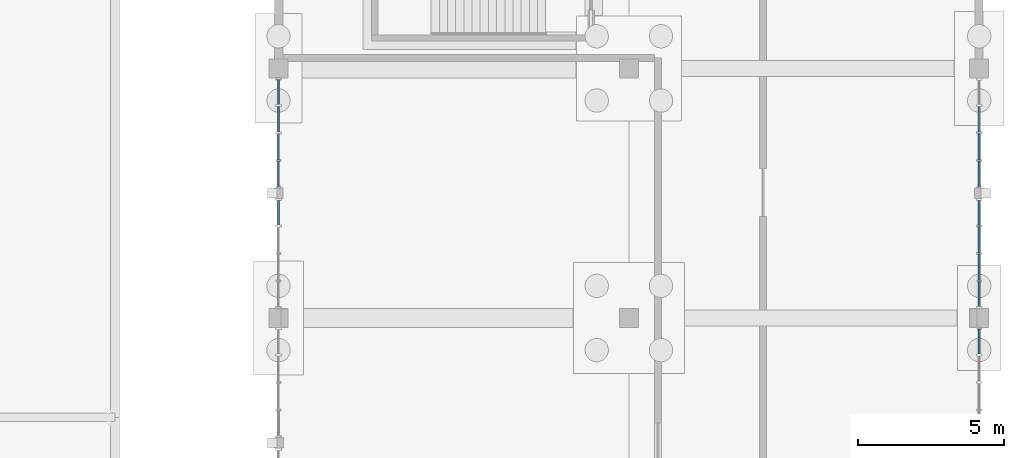
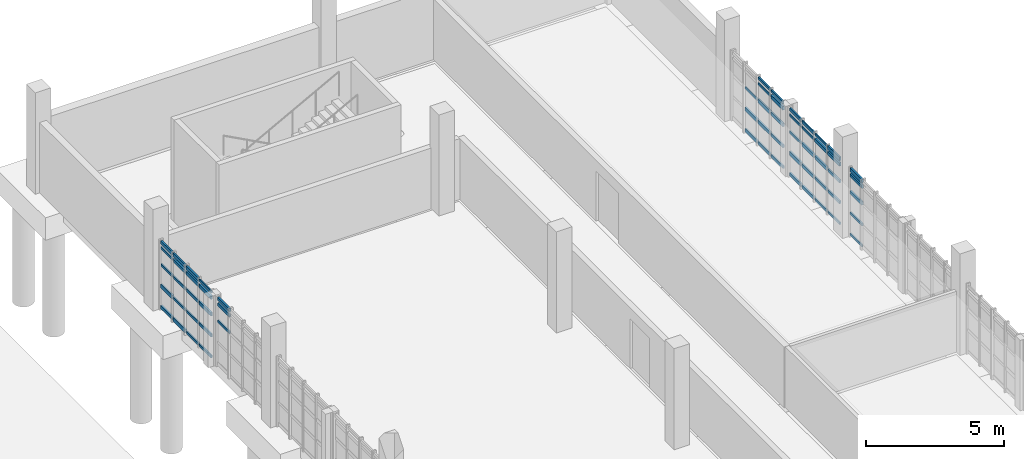
# One storey, part 76 of 125: 61 members, 5 elements without a shape of their own.
"""IFC4 building model written with IfcOpenShell, lengths in metres."""

from ifc_helpers import new_model, si_unit, direction, frame, origin, origin_2d, place, context, subcontext, project, spatial, rectangle, extrude, material, material_profile, profile_set, type_object, element, aggregate, save


model = new_model("IFC4")

# Units and contexts
model_context = context("Model", 3, precision=1e-05, world=origin(), true_north=direction((0.0, 1.0)))
body_context = subcontext(model_context, "Body", "Model", "MODEL_VIEW")
ifc_project = project(units=[si_unit("LENGTHUNIT", "METRE"), si_unit("AREAUNIT", "SQUARE_METRE"), si_unit("VOLUMEUNIT", "CUBIC_METRE"), si_unit("PLANEANGLEUNIT", "RADIAN"), si_unit("MASSUNIT", "GRAM", prefix="KILO")], contexts=[model_context])

# Site, building, storey
site_placement = place(None, origin())
site = spatial("IfcSite", under=ifc_project, at=site_placement, CompositionType="ELEMENT")
building_placement = place(site_placement, origin())
building = spatial("IfcBuilding", under=site, at=building_placement, Name="Serraforn Aerial Cableway Station", CompositionType="ELEMENT")
storey_placement = place(building_placement, frame((0.0, 0.0, 4.5)))
storey = spatial("IfcBuildingStorey", under=building, at=storey_placement, Name="L01", CompositionType="ELEMENT", Elevation=4.5)

# Curtain wall, member
ifc_material_1 = material(Name="Anodised bronze unitised curtain wall")
curtain_wall_type_1 = type_object("IfcCurtainWallType", Name="CW-SYS-18", PredefinedType="USERDEFINED", material=ifc_material_1)
curtain_wall_1_placement = place(storey_placement, origin())
curtain_wall_1 = element("IfcCurtainWall", 1, at=curtain_wall_1_placement, inside=storey, type_object=curtain_wall_type_1, Name="Unitised Curtain Wall CW-EG-L01-E6B", ObjectType="UNITISED CURTAIN WALL", PredefinedType="USERDEFINED")
ifc_material_2 = material(Name="Anodised bronze extruded aluminium", Category="aluminium")
ifc_material_profile_1 = material_profile(ifc_material_2, rectangle(XDim=0.054931640625, YDim=0.110107421875, at=origin_2d()), Name="CW TRANSOM 55x110")
ifc_profile_set_1 = profile_set([ifc_material_profile_1], Name="Anodised bronze extruded aluminium")
member_type_1 = type_object("IfcMemberType", Name="CW-TRN-1", PredefinedType="USERDEFINED", material=ifc_profile_set_1)
member_1_placement = place(storey_placement, frame((168.0, 95.66943359375, 0.124755859375), z_axis=(0.0, 1.0, 0.0), x_axis=(-1.0, 0.0, 0.0)))
member_1 = element("IfcMember", 2, at=member_1_placement, type_object=member_type_1, Name="Curtain Wall Transom CW-EG-L01-E6B-T4-1", ObjectType="TRANSOM", PredefinedType="USERDEFINED", context=body_context, shape_type="SweptSolid", body=[
    extrude(rectangle(XDim=0.054931640625, YDim=0.110107421875, at=origin_2d()), origin(), (0.0, 0.0, 1.0), 0.8544921875),
])

# Curtain wall, members
curtain_wall_type_2 = type_object("IfcCurtainWallType", Name="CW-SYS-19", PredefinedType="USERDEFINED", material=ifc_material_1)
curtain_wall_2_placement = place(storey_placement, origin())
curtain_wall_2 = element("IfcCurtainWall", 3, at=curtain_wall_2_placement, inside=storey, type_object=curtain_wall_type_2, Name="Unitised Curtain Wall CW-EG-L01-W7A", ObjectType="UNITISED CURTAIN WALL", PredefinedType="USERDEFINED")
member_2_placement = place(storey_placement, frame((144.0, 105.06396484375, 1.996826171875), z_axis=(0.0, -1.0, 0.0), x_axis=(1.0, 0.0, 0.0)))
member_2 = element("IfcMember", 4, at=member_2_placement, type_object=member_type_1, Name="Curtain Wall Transom CW-EG-L01-W7A-T1-3", ObjectType="TRANSOM", PredefinedType="USERDEFINED", context=body_context, shape_type="SweptSolid", body=[
    extrude(rectangle(XDim=0.054931640625, YDim=0.110107421875, at=origin_2d()), origin(), (0.0, 0.0, 1.0), 0.846923828125),
])
member_3_placement = place(storey_placement, frame((144.0, 104.15087890625, 1.060791015625), z_axis=(0.0, -1.0, 0.0), x_axis=(1.0, 0.0, 0.0)))
member_3 = element("IfcMember", 5, at=member_3_placement, type_object=member_type_1, Name="Curtain Wall Transom CW-EG-L01-W7A-T2-2", ObjectType="TRANSOM", PredefinedType="USERDEFINED", context=body_context, shape_type="SweptSolid", body=[
    extrude(rectangle(XDim=0.054931640625, YDim=0.110107421875, at=origin_2d()), origin(), (0.0, 0.0, 1.0), 0.874267578125),
])
member_4_placement = place(storey_placement, frame((144.0, 103.20556640625, 0.124755859375), z_axis=(0.0, -1.0, 0.0), x_axis=(1.0, 0.0, 0.0)))
member_4 = element("IfcMember", 6, at=member_4_placement, type_object=member_type_1, Name="Curtain Wall Transom CW-EG-L01-W7A-T3-1", ObjectType="TRANSOM", PredefinedType="USERDEFINED", context=body_context, shape_type="SweptSolid", body=[
    extrude(rectangle(XDim=0.054931640625, YDim=0.110107421875, at=origin_2d()), origin(), (0.0, 0.0, 1.0), 0.882080078125),
])
member_5_placement = place(storey_placement, frame((144.0, 102.2724609375, 2.9951171875), z_axis=(0.0, -1.0, 0.0), x_axis=(1.0, 0.0, 0.0)))
member_5 = element("IfcMember", 7, at=member_5_placement, type_object=member_type_1, Name="Curtain Wall Transom CW-EG-L01-W7A-T4-5", ObjectType="TRANSOM", PredefinedType="USERDEFINED", context=body_context, shape_type="SweptSolid", body=[
    extrude(rectangle(XDim=0.054931640625, YDim=0.110107421875, at=origin_2d()), origin(), (0.0, 0.0, 1.0), 0.859375),
])

curtain_wall_type_3 = type_object("IfcCurtainWallType", Name="CW-SYS-21", PredefinedType="USERDEFINED", material=ifc_material_1)
curtain_wall_3_placement = place(storey_placement, origin())
curtain_wall_3 = element("IfcCurtainWall", 8, at=curtain_wall_3_placement, inside=storey, type_object=curtain_wall_type_3, Name="Unitised Curtain Wall CW-EG-L01-E7A", ObjectType="UNITISED CURTAIN WALL", PredefinedType="USERDEFINED")
member_6_placement = place(storey_placement, frame((168.0, 97.2958984375, 0.124755859375), z_axis=(0.0, 1.0, 0.0), x_axis=(-1.0, 0.0, 0.0)))
member_6 = element("IfcMember", 9, at=member_6_placement, type_object=member_type_1, Name="Curtain Wall Transom CW-EG-L01-E7A-T1-1", ObjectType="TRANSOM", PredefinedType="USERDEFINED", context=body_context, shape_type="SweptSolid", body=[
    extrude(rectangle(XDim=0.054931640625, YDim=0.110107421875, at=origin_2d()), origin(), (0.0, 0.0, 1.0), 0.844482421875),
])
member_7_placement = place(storey_placement, frame((168.0, 98.19140625, 2.9951171875), z_axis=(0.0, 1.0, 0.0), x_axis=(-1.0, 0.0, 0.0)))
member_7 = element("IfcMember", 10, at=member_7_placement, type_object=member_type_1, Name="Curtain Wall Transom CW-EG-L01-E7A-T2-5", ObjectType="TRANSOM", PredefinedType="USERDEFINED", context=body_context, shape_type="SweptSolid", body=[
    extrude(rectangle(XDim=0.054931640625, YDim=0.110107421875, at=origin_2d()), origin(), (0.0, 0.0, 1.0), 0.8896484375),
])
member_8_placement = place(storey_placement, frame((168.0, 99.136962890625, 2.74560546875), z_axis=(0.0, 1.0, 0.0), x_axis=(-1.0, 0.0, 0.0)))
member_8 = element("IfcMember", 11, at=member_8_placement, type_object=member_type_1, Name="Curtain Wall Transom CW-EG-L01-E7A-T3-4", ObjectType="TRANSOM", PredefinedType="USERDEFINED", context=body_context, shape_type="SweptSolid", body=[
    extrude(rectangle(XDim=0.054931640625, YDim=0.110107421875, at=origin_2d()), origin(), (0.0, 0.0, 1.0), 0.884521484375),
])
member_9_placement = place(storey_placement, frame((168.0, 100.08251953125, 1.996826171875), z_axis=(0.0, 1.0, 0.0), x_axis=(-1.0, 0.0, 0.0)))
member_9 = element("IfcMember", 12, at=member_9_placement, type_object=member_type_1, Name="Curtain Wall Transom CW-EG-L01-E7A-T4-3", ObjectType="TRANSOM", PredefinedType="USERDEFINED", context=body_context, shape_type="SweptSolid", body=[
    extrude(rectangle(XDim=0.054931640625, YDim=0.110107421875, at=origin_2d()), origin(), (0.0, 0.0, 1.0), 0.844482421875),
])

curtain_wall_type_4 = type_object("IfcCurtainWallType", Name="CW-SYS-22", PredefinedType="USERDEFINED", material=ifc_material_1)
curtain_wall_4_placement = place(storey_placement, origin())
curtain_wall_4 = element("IfcCurtainWall", 13, at=curtain_wall_4_placement, inside=storey, type_object=curtain_wall_type_4, Name="Unitised Curtain Wall CW-EG-L01-E7B", ObjectType="UNITISED CURTAIN WALL", PredefinedType="USERDEFINED")
member_10_placement = place(storey_placement, frame((168.0, 101.407958984375, 2.9951171875), z_axis=(0.0, 1.0, 0.0), x_axis=(-1.0, 0.0, 0.0)))
member_10 = element("IfcMember", 14, at=member_10_placement, type_object=member_type_1, Name="Curtain Wall Transom CW-EG-L01-E7B-T1-5", ObjectType="TRANSOM", PredefinedType="USERDEFINED", context=body_context, shape_type="SweptSolid", body=[
    extrude(rectangle(XDim=0.054931640625, YDim=0.110107421875, at=origin_2d()), origin(), (0.0, 0.0, 1.0), 0.862060546875),
])
member_11_placement = place(storey_placement, frame((168.0, 102.325927734375, 2.74560546875), z_axis=(0.0, 1.0, 0.0), x_axis=(-1.0, 0.0, 0.0)))
member_11 = element("IfcMember", 15, at=member_11_placement, type_object=member_type_1, Name="Curtain Wall Transom CW-EG-L01-E7B-T2-4", ObjectType="TRANSOM", PredefinedType="USERDEFINED", context=body_context, shape_type="SweptSolid", body=[
    extrude(rectangle(XDim=0.054931640625, YDim=0.110107421875, at=origin_2d()), origin(), (0.0, 0.0, 1.0), 0.884521484375),
])
member_12_placement = place(storey_placement, frame((168.0, 103.271484375, 1.996826171875), z_axis=(0.0, 1.0, 0.0), x_axis=(-1.0, 0.0, 0.0)))
member_12 = element("IfcMember", 16, at=member_12_placement, type_object=member_type_1, Name="Curtain Wall Transom CW-EG-L01-E7B-T3-3", ObjectType="TRANSOM", PredefinedType="USERDEFINED", context=body_context, shape_type="SweptSolid", body=[
    extrude(rectangle(XDim=0.054931640625, YDim=0.110107421875, at=origin_2d()), origin(), (0.0, 0.0, 1.0), 0.87939453125),
])

# Member
ifc_material_profile_2 = material_profile(ifc_material_2, rectangle(XDim=0.06005859375, YDim=0.1201171875, at=origin_2d()), Name="CW TRANSOM 60x120")
ifc_profile_set_2 = profile_set([ifc_material_profile_2], Name="Anodised bronze extruded aluminium")
member_type_2 = type_object("IfcMemberType", Name="CW-TRN-2", PredefinedType="USERDEFINED", material=ifc_profile_set_2)
member_13_placement = place(storey_placement, frame((168.0, 95.66943359375, 1.060791015625), z_axis=(0.0, 1.0, 0.0), x_axis=(-1.0, 0.0, 0.0)))
member_13 = element("IfcMember", 17, at=member_13_placement, type_object=member_type_2, Name="Curtain Wall Transom CW-EG-L01-E6B-T4-2", ObjectType="TRANSOM", PredefinedType="USERDEFINED", context=body_context, shape_type="SweptSolid", body=[
    extrude(rectangle(XDim=0.06005859375, YDim=0.1201171875, at=origin_2d()), origin(), (0.0, 0.0, 1.0), 0.8544921875),
])

member_14_placement = place(storey_placement, frame((144.0, 105.06396484375, 2.74560546875), z_axis=(0.0, -1.0, 0.0), x_axis=(1.0, 0.0, 0.0)))
member_14 = element("IfcMember", 18, at=member_14_placement, type_object=member_type_2, Name="Curtain Wall Transom CW-EG-L01-W7A-T1-4", ObjectType="TRANSOM", PredefinedType="USERDEFINED", context=body_context, shape_type="SweptSolid", body=[
    extrude(rectangle(XDim=0.06005859375, YDim=0.1201171875, at=origin_2d()), origin(), (0.0, 0.0, 1.0), 0.846923828125),
])

member_15_placement = place(storey_placement, frame((144.0, 104.15087890625, 1.996826171875), z_axis=(0.0, -1.0, 0.0), x_axis=(1.0, 0.0, 0.0)))
member_15 = element("IfcMember", 19, at=member_15_placement, type_object=member_type_2, Name="Curtain Wall Transom CW-EG-L01-W7A-T2-3", ObjectType="TRANSOM", PredefinedType="USERDEFINED", context=body_context, shape_type="SweptSolid", body=[
    extrude(rectangle(XDim=0.06005859375, YDim=0.1201171875, at=origin_2d()), origin(), (0.0, 0.0, 1.0), 0.874267578125),
])

member_16_placement = place(storey_placement, frame((144.0, 103.20556640625, 1.060791015625), z_axis=(0.0, -1.0, 0.0), x_axis=(1.0, 0.0, 0.0)))
member_16 = element("IfcMember", 20, at=member_16_placement, type_object=member_type_2, Name="Curtain Wall Transom CW-EG-L01-W7A-T3-2", ObjectType="TRANSOM", PredefinedType="USERDEFINED", context=body_context, shape_type="SweptSolid", body=[
    extrude(rectangle(XDim=0.06005859375, YDim=0.1201171875, at=origin_2d()), origin(), (0.0, 0.0, 1.0), 0.882080078125),
])

member_17_placement = place(storey_placement, frame((144.0, 102.2724609375, 0.124755859375), z_axis=(0.0, -1.0, 0.0), x_axis=(1.0, 0.0, 0.0)))
member_17 = element("IfcMember", 21, at=member_17_placement, type_object=member_type_2, Name="Curtain Wall Transom CW-EG-L01-W7A-T4-1", ObjectType="TRANSOM", PredefinedType="USERDEFINED", context=body_context, shape_type="SweptSolid", body=[
    extrude(rectangle(XDim=0.06005859375, YDim=0.1201171875, at=origin_2d()), origin(), (0.0, 0.0, 1.0), 0.859375),
])

# Curtain wall, member
curtain_wall_type_5 = type_object("IfcCurtainWallType", Name="CW-SYS-20", PredefinedType="USERDEFINED", material=ifc_material_1)
curtain_wall_5_placement = place(storey_placement, origin())
curtain_wall_5 = element("IfcCurtainWall", 22, at=curtain_wall_5_placement, inside=storey, type_object=curtain_wall_type_5, Name="Unitised Curtain Wall CW-EG-L01-W7B", ObjectType="UNITISED CURTAIN WALL", PredefinedType="USERDEFINED")
member_18_placement = place(storey_placement, frame((144.0, 100.927001953125, 1.996826171875), z_axis=(0.0, -1.0, 0.0), x_axis=(1.0, 0.0, 0.0)))
member_18 = element("IfcMember", 23, at=member_18_placement, type_object=member_type_2, Name="Curtain Wall Transom CW-EG-L01-W7B-T1-3", ObjectType="TRANSOM", PredefinedType="USERDEFINED", context=body_context, shape_type="SweptSolid", body=[
    extrude(rectangle(XDim=0.06005859375, YDim=0.1201171875, at=origin_2d()), origin(), (0.0, 0.0, 1.0), 0.839599609375),
])

# Member
member_19_placement = place(storey_placement, frame((168.0, 97.2958984375, 1.060791015625), z_axis=(0.0, 1.0, 0.0), x_axis=(-1.0, 0.0, 0.0)))
member_19 = element("IfcMember", 24, at=member_19_placement, type_object=member_type_2, Name="Curtain Wall Transom CW-EG-L01-E7A-T1-2", ObjectType="TRANSOM", PredefinedType="USERDEFINED", context=body_context, shape_type="SweptSolid", body=[
    extrude(rectangle(XDim=0.06005859375, YDim=0.1201171875, at=origin_2d()), origin(), (0.0, 0.0, 1.0), 0.844482421875),
])

member_20_placement = place(storey_placement, frame((168.0, 98.19140625, 0.124755859375), z_axis=(0.0, 1.0, 0.0), x_axis=(-1.0, 0.0, 0.0)))
member_20 = element("IfcMember", 25, at=member_20_placement, type_object=member_type_2, Name="Curtain Wall Transom CW-EG-L01-E7A-T2-1", ObjectType="TRANSOM", PredefinedType="USERDEFINED", context=body_context, shape_type="SweptSolid", body=[
    extrude(rectangle(XDim=0.06005859375, YDim=0.1201171875, at=origin_2d()), origin(), (0.0, 0.0, 1.0), 0.8896484375),
])

member_21_placement = place(storey_placement, frame((168.0, 99.136962890625, 2.9951171875), z_axis=(0.0, 1.0, 0.0), x_axis=(-1.0, 0.0, 0.0)))
member_21 = element("IfcMember", 26, at=member_21_placement, type_object=member_type_2, Name="Curtain Wall Transom CW-EG-L01-E7A-T3-5", ObjectType="TRANSOM", PredefinedType="USERDEFINED", context=body_context, shape_type="SweptSolid", body=[
    extrude(rectangle(XDim=0.06005859375, YDim=0.1201171875, at=origin_2d()), origin(), (0.0, 0.0, 1.0), 0.884521484375),
])

member_22_placement = place(storey_placement, frame((168.0, 100.08251953125, 2.74560546875), z_axis=(0.0, 1.0, 0.0), x_axis=(-1.0, 0.0, 0.0)))
member_22 = element("IfcMember", 27, at=member_22_placement, type_object=member_type_2, Name="Curtain Wall Transom CW-EG-L01-E7A-T4-4", ObjectType="TRANSOM", PredefinedType="USERDEFINED", context=body_context, shape_type="SweptSolid", body=[
    extrude(rectangle(XDim=0.06005859375, YDim=0.1201171875, at=origin_2d()), origin(), (0.0, 0.0, 1.0), 0.844482421875),
])

member_23_placement = place(storey_placement, frame((168.0, 101.407958984375, 0.124755859375), z_axis=(0.0, 1.0, 0.0), x_axis=(-1.0, 0.0, 0.0)))
member_23 = element("IfcMember", 28, at=member_23_placement, type_object=member_type_2, Name="Curtain Wall Transom CW-EG-L01-E7B-T1-1", ObjectType="TRANSOM", PredefinedType="USERDEFINED", context=body_context, shape_type="SweptSolid", body=[
    extrude(rectangle(XDim=0.06005859375, YDim=0.1201171875, at=origin_2d()), origin(), (0.0, 0.0, 1.0), 0.862060546875),
])

member_24_placement = place(storey_placement, frame((168.0, 102.325927734375, 2.9951171875), z_axis=(0.0, 1.0, 0.0), x_axis=(-1.0, 0.0, 0.0)))
member_24 = element("IfcMember", 29, at=member_24_placement, type_object=member_type_2, Name="Curtain Wall Transom CW-EG-L01-E7B-T2-5", ObjectType="TRANSOM", PredefinedType="USERDEFINED", context=body_context, shape_type="SweptSolid", body=[
    extrude(rectangle(XDim=0.06005859375, YDim=0.1201171875, at=origin_2d()), origin(), (0.0, 0.0, 1.0), 0.884521484375),
])

ifc_material_profile_3 = material_profile(ifc_material_2, rectangle(XDim=0.06494140625, YDim=0.135009765625, at=origin_2d()), Name="CW TRANSOM 65x135")
ifc_profile_set_3 = profile_set([ifc_material_profile_3], Name="Anodised bronze extruded aluminium")
member_type_3 = type_object("IfcMemberType", Name="CW-TRN-3", PredefinedType="USERDEFINED", material=ifc_profile_set_3)
member_25_placement = place(storey_placement, frame((168.0, 95.66943359375, 1.996826171875), z_axis=(0.0, 1.0, 0.0), x_axis=(-1.0, 0.0, 0.0)))
member_25 = element("IfcMember", 30, at=member_25_placement, type_object=member_type_3, Name="Curtain Wall Transom CW-EG-L01-E6B-T4-3", ObjectType="TRANSOM", PredefinedType="USERDEFINED", context=body_context, shape_type="SweptSolid", body=[
    extrude(rectangle(XDim=0.06494140625, YDim=0.135009765625, at=origin_2d()), origin(), (0.0, 0.0, 1.0), 0.8544921875),
])

member_26_placement = place(storey_placement, frame((144.0, 105.06396484375, 2.9951171875), z_axis=(0.0, -1.0, 0.0), x_axis=(1.0, 0.0, 0.0)))
member_26 = element("IfcMember", 31, at=member_26_placement, type_object=member_type_3, Name="Curtain Wall Transom CW-EG-L01-W7A-T1-5", ObjectType="TRANSOM", PredefinedType="USERDEFINED", context=body_context, shape_type="SweptSolid", body=[
    extrude(rectangle(XDim=0.06494140625, YDim=0.135009765625, at=origin_2d()), origin(), (0.0, 0.0, 1.0), 0.846923828125),
])

member_27_placement = place(storey_placement, frame((144.0, 104.15087890625, 2.74560546875), z_axis=(0.0, -1.0, 0.0), x_axis=(1.0, 0.0, 0.0)))
member_27 = element("IfcMember", 32, at=member_27_placement, type_object=member_type_3, Name="Curtain Wall Transom CW-EG-L01-W7A-T2-4", ObjectType="TRANSOM", PredefinedType="USERDEFINED", context=body_context, shape_type="SweptSolid", body=[
    extrude(rectangle(XDim=0.06494140625, YDim=0.135009765625, at=origin_2d()), origin(), (0.0, 0.0, 1.0), 0.874267578125),
])

member_28_placement = place(storey_placement, frame((144.0, 103.20556640625, 1.996826171875), z_axis=(0.0, -1.0, 0.0), x_axis=(1.0, 0.0, 0.0)))
member_28 = element("IfcMember", 33, at=member_28_placement, type_object=member_type_3, Name="Curtain Wall Transom CW-EG-L01-W7A-T3-3", ObjectType="TRANSOM", PredefinedType="USERDEFINED", context=body_context, shape_type="SweptSolid", body=[
    extrude(rectangle(XDim=0.06494140625, YDim=0.135009765625, at=origin_2d()), origin(), (0.0, 0.0, 1.0), 0.882080078125),
])

member_29_placement = place(storey_placement, frame((144.0, 102.2724609375, 1.060791015625), z_axis=(0.0, -1.0, 0.0), x_axis=(1.0, 0.0, 0.0)))
member_29 = element("IfcMember", 34, at=member_29_placement, type_object=member_type_3, Name="Curtain Wall Transom CW-EG-L01-W7A-T4-2", ObjectType="TRANSOM", PredefinedType="USERDEFINED", context=body_context, shape_type="SweptSolid", body=[
    extrude(rectangle(XDim=0.06494140625, YDim=0.135009765625, at=origin_2d()), origin(), (0.0, 0.0, 1.0), 0.859375),
])

member_30_placement = place(storey_placement, frame((144.0, 100.927001953125, 2.74560546875), z_axis=(0.0, -1.0, 0.0), x_axis=(1.0, 0.0, 0.0)))
member_30 = element("IfcMember", 35, at=member_30_placement, type_object=member_type_3, Name="Curtain Wall Transom CW-EG-L01-W7B-T1-4", ObjectType="TRANSOM", PredefinedType="USERDEFINED", context=body_context, shape_type="SweptSolid", body=[
    extrude(rectangle(XDim=0.06494140625, YDim=0.135009765625, at=origin_2d()), origin(), (0.0, 0.0, 1.0), 0.839599609375),
])

member_31_placement = place(storey_placement, frame((168.0, 97.2958984375, 1.996826171875), z_axis=(0.0, 1.0, 0.0), x_axis=(-1.0, 0.0, 0.0)))
member_31 = element("IfcMember", 36, at=member_31_placement, type_object=member_type_3, Name="Curtain Wall Transom CW-EG-L01-E7A-T1-3", ObjectType="TRANSOM", PredefinedType="USERDEFINED", context=body_context, shape_type="SweptSolid", body=[
    extrude(rectangle(XDim=0.06494140625, YDim=0.135009765625, at=origin_2d()), origin(), (0.0, 0.0, 1.0), 0.844482421875),
])

member_32_placement = place(storey_placement, frame((168.0, 98.19140625, 1.060791015625), z_axis=(0.0, 1.0, 0.0), x_axis=(-1.0, 0.0, 0.0)))
member_32 = element("IfcMember", 37, at=member_32_placement, type_object=member_type_3, Name="Curtain Wall Transom CW-EG-L01-E7A-T2-2", ObjectType="TRANSOM", PredefinedType="USERDEFINED", context=body_context, shape_type="SweptSolid", body=[
    extrude(rectangle(XDim=0.06494140625, YDim=0.135009765625, at=origin_2d()), origin(), (0.0, 0.0, 1.0), 0.8896484375),
])

member_33_placement = place(storey_placement, frame((168.0, 99.136962890625, 0.124755859375), z_axis=(0.0, 1.0, 0.0), x_axis=(-1.0, 0.0, 0.0)))
member_33 = element("IfcMember", 38, at=member_33_placement, type_object=member_type_3, Name="Curtain Wall Transom CW-EG-L01-E7A-T3-1", ObjectType="TRANSOM", PredefinedType="USERDEFINED", context=body_context, shape_type="SweptSolid", body=[
    extrude(rectangle(XDim=0.06494140625, YDim=0.135009765625, at=origin_2d()), origin(), (0.0, 0.0, 1.0), 0.884521484375),
])

member_34_placement = place(storey_placement, frame((168.0, 100.08251953125, 2.9951171875), z_axis=(0.0, 1.0, 0.0), x_axis=(-1.0, 0.0, 0.0)))
member_34 = element("IfcMember", 39, at=member_34_placement, type_object=member_type_3, Name="Curtain Wall Transom CW-EG-L01-E7A-T4-5", ObjectType="TRANSOM", PredefinedType="USERDEFINED", context=body_context, shape_type="SweptSolid", body=[
    extrude(rectangle(XDim=0.06494140625, YDim=0.135009765625, at=origin_2d()), origin(), (0.0, 0.0, 1.0), 0.844482421875),
])

member_35_placement = place(storey_placement, frame((168.0, 101.407958984375, 1.060791015625), z_axis=(0.0, 1.0, 0.0), x_axis=(-1.0, 0.0, 0.0)))
member_35 = element("IfcMember", 40, at=member_35_placement, type_object=member_type_3, Name="Curtain Wall Transom CW-EG-L01-E7B-T1-2", ObjectType="TRANSOM", PredefinedType="USERDEFINED", context=body_context, shape_type="SweptSolid", body=[
    extrude(rectangle(XDim=0.06494140625, YDim=0.135009765625, at=origin_2d()), origin(), (0.0, 0.0, 1.0), 0.862060546875),
])

member_36_placement = place(storey_placement, frame((168.0, 102.325927734375, 0.124755859375), z_axis=(0.0, 1.0, 0.0), x_axis=(-1.0, 0.0, 0.0)))
member_36 = element("IfcMember", 41, at=member_36_placement, type_object=member_type_3, Name="Curtain Wall Transom CW-EG-L01-E7B-T2-1", ObjectType="TRANSOM", PredefinedType="USERDEFINED", context=body_context, shape_type="SweptSolid", body=[
    extrude(rectangle(XDim=0.06494140625, YDim=0.135009765625, at=origin_2d()), origin(), (0.0, 0.0, 1.0), 0.884521484375),
])

ifc_material_profile_4 = material_profile(ifc_material_2, rectangle(XDim=0.070068359375, YDim=0.14990234375, at=origin_2d()), Name="CW TRANSOM 70x150")
ifc_profile_set_4 = profile_set([ifc_material_profile_4], Name="Anodised bronze extruded aluminium")
member_type_4 = type_object("IfcMemberType", Name="CW-TRN-4", PredefinedType="USERDEFINED", material=ifc_profile_set_4)
member_37_placement = place(storey_placement, frame((168.0, 95.66943359375, 2.74560546875), z_axis=(0.0, 1.0, 0.0), x_axis=(-1.0, 0.0, 0.0)))
member_37 = element("IfcMember", 42, at=member_37_placement, type_object=member_type_4, Name="Curtain Wall Transom CW-EG-L01-E6B-T4-4", ObjectType="TRANSOM", PredefinedType="USERDEFINED", context=body_context, shape_type="SweptSolid", body=[
    extrude(rectangle(XDim=0.070068359375, YDim=0.14990234375, at=origin_2d()), origin(), (0.0, 0.0, 1.0), 0.8544921875),
])

member_38_placement = place(storey_placement, frame((144.0, 105.06396484375, 0.124755859375), z_axis=(0.0, -1.0, 0.0), x_axis=(1.0, 0.0, 0.0)))
member_38 = element("IfcMember", 43, at=member_38_placement, type_object=member_type_4, Name="Curtain Wall Transom CW-EG-L01-W7A-T1-1", ObjectType="TRANSOM", PredefinedType="USERDEFINED", context=body_context, shape_type="SweptSolid", body=[
    extrude(rectangle(XDim=0.070068359375, YDim=0.14990234375, at=origin_2d()), origin(), (0.0, 0.0, 1.0), 0.846923828125),
])

member_39_placement = place(storey_placement, frame((144.0, 104.15087890625, 2.9951171875), z_axis=(0.0, -1.0, 0.0), x_axis=(1.0, 0.0, 0.0)))
member_39 = element("IfcMember", 44, at=member_39_placement, type_object=member_type_4, Name="Curtain Wall Transom CW-EG-L01-W7A-T2-5", ObjectType="TRANSOM", PredefinedType="USERDEFINED", context=body_context, shape_type="SweptSolid", body=[
    extrude(rectangle(XDim=0.070068359375, YDim=0.14990234375, at=origin_2d()), origin(), (0.0, 0.0, 1.0), 0.874267578125),
])

member_40_placement = place(storey_placement, frame((144.0, 103.20556640625, 2.74560546875), z_axis=(0.0, -1.0, 0.0), x_axis=(1.0, 0.0, 0.0)))
member_40 = element("IfcMember", 45, at=member_40_placement, type_object=member_type_4, Name="Curtain Wall Transom CW-EG-L01-W7A-T3-4", ObjectType="TRANSOM", PredefinedType="USERDEFINED", context=body_context, shape_type="SweptSolid", body=[
    extrude(rectangle(XDim=0.070068359375, YDim=0.14990234375, at=origin_2d()), origin(), (0.0, 0.0, 1.0), 0.882080078125),
])

member_41_placement = place(storey_placement, frame((144.0, 102.2724609375, 1.996826171875), z_axis=(0.0, -1.0, 0.0), x_axis=(1.0, 0.0, 0.0)))
member_41 = element("IfcMember", 46, at=member_41_placement, type_object=member_type_4, Name="Curtain Wall Transom CW-EG-L01-W7A-T4-3", ObjectType="TRANSOM", PredefinedType="USERDEFINED", context=body_context, shape_type="SweptSolid", body=[
    extrude(rectangle(XDim=0.070068359375, YDim=0.14990234375, at=origin_2d()), origin(), (0.0, 0.0, 1.0), 0.859375),
])

member_42_placement = place(storey_placement, frame((144.0, 100.927001953125, 2.9951171875), z_axis=(0.0, -1.0, 0.0), x_axis=(1.0, 0.0, 0.0)))
member_42 = element("IfcMember", 47, at=member_42_placement, type_object=member_type_4, Name="Curtain Wall Transom CW-EG-L01-W7B-T1-5", ObjectType="TRANSOM", PredefinedType="USERDEFINED", context=body_context, shape_type="SweptSolid", body=[
    extrude(rectangle(XDim=0.070068359375, YDim=0.14990234375, at=origin_2d()), origin(), (0.0, 0.0, 1.0), 0.839599609375),
])

aggregate(curtain_wall_5, [member_18, member_30, member_42])

member_43_placement = place(storey_placement, frame((168.0, 97.2958984375, 2.74560546875), z_axis=(0.0, 1.0, 0.0), x_axis=(-1.0, 0.0, 0.0)))
member_43 = element("IfcMember", 48, at=member_43_placement, type_object=member_type_4, Name="Curtain Wall Transom CW-EG-L01-E7A-T1-4", ObjectType="TRANSOM", PredefinedType="USERDEFINED", context=body_context, shape_type="SweptSolid", body=[
    extrude(rectangle(XDim=0.070068359375, YDim=0.14990234375, at=origin_2d()), origin(), (0.0, 0.0, 1.0), 0.844482421875),
])

member_44_placement = place(storey_placement, frame((168.0, 98.19140625, 1.996826171875), z_axis=(0.0, 1.0, 0.0), x_axis=(-1.0, 0.0, 0.0)))
member_44 = element("IfcMember", 49, at=member_44_placement, type_object=member_type_4, Name="Curtain Wall Transom CW-EG-L01-E7A-T2-3", ObjectType="TRANSOM", PredefinedType="USERDEFINED", context=body_context, shape_type="SweptSolid", body=[
    extrude(rectangle(XDim=0.070068359375, YDim=0.14990234375, at=origin_2d()), origin(), (0.0, 0.0, 1.0), 0.8896484375),
])

member_45_placement = place(storey_placement, frame((168.0, 99.136962890625, 1.060791015625), z_axis=(0.0, 1.0, 0.0), x_axis=(-1.0, 0.0, 0.0)))
member_45 = element("IfcMember", 50, at=member_45_placement, type_object=member_type_4, Name="Curtain Wall Transom CW-EG-L01-E7A-T3-2", ObjectType="TRANSOM", PredefinedType="USERDEFINED", context=body_context, shape_type="SweptSolid", body=[
    extrude(rectangle(XDim=0.070068359375, YDim=0.14990234375, at=origin_2d()), origin(), (0.0, 0.0, 1.0), 0.884521484375),
])

member_46_placement = place(storey_placement, frame((168.0, 100.08251953125, 0.124755859375), z_axis=(0.0, 1.0, 0.0), x_axis=(-1.0, 0.0, 0.0)))
member_46 = element("IfcMember", 51, at=member_46_placement, type_object=member_type_4, Name="Curtain Wall Transom CW-EG-L01-E7A-T4-1", ObjectType="TRANSOM", PredefinedType="USERDEFINED", context=body_context, shape_type="SweptSolid", body=[
    extrude(rectangle(XDim=0.070068359375, YDim=0.14990234375, at=origin_2d()), origin(), (0.0, 0.0, 1.0), 0.844482421875),
])

member_47_placement = place(storey_placement, frame((168.0, 101.407958984375, 1.996826171875), z_axis=(0.0, 1.0, 0.0), x_axis=(-1.0, 0.0, 0.0)))
member_47 = element("IfcMember", 52, at=member_47_placement, type_object=member_type_4, Name="Curtain Wall Transom CW-EG-L01-E7B-T1-3", ObjectType="TRANSOM", PredefinedType="USERDEFINED", context=body_context, shape_type="SweptSolid", body=[
    extrude(rectangle(XDim=0.070068359375, YDim=0.14990234375, at=origin_2d()), origin(), (0.0, 0.0, 1.0), 0.862060546875),
])

member_48_placement = place(storey_placement, frame((168.0, 102.325927734375, 1.060791015625), z_axis=(0.0, 1.0, 0.0), x_axis=(-1.0, 0.0, 0.0)))
member_48 = element("IfcMember", 53, at=member_48_placement, type_object=member_type_4, Name="Curtain Wall Transom CW-EG-L01-E7B-T2-2", ObjectType="TRANSOM", PredefinedType="USERDEFINED", context=body_context, shape_type="SweptSolid", body=[
    extrude(rectangle(XDim=0.070068359375, YDim=0.14990234375, at=origin_2d()), origin(), (0.0, 0.0, 1.0), 0.884521484375),
])

member_49_placement = place(storey_placement, frame((168.0, 103.271484375, 0.124755859375), z_axis=(0.0, 1.0, 0.0), x_axis=(-1.0, 0.0, 0.0)))
member_49 = element("IfcMember", 54, at=member_49_placement, type_object=member_type_4, Name="Curtain Wall Transom CW-EG-L01-E7B-T3-1", ObjectType="TRANSOM", PredefinedType="USERDEFINED", context=body_context, shape_type="SweptSolid", body=[
    extrude(rectangle(XDim=0.070068359375, YDim=0.14990234375, at=origin_2d()), origin(), (0.0, 0.0, 1.0), 0.87939453125),
])

ifc_material_profile_5 = material_profile(ifc_material_2, rectangle(XDim=0.074951171875, YDim=0.1650390625, at=origin_2d()), Name="CW TRANSOM 75x165")
ifc_profile_set_5 = profile_set([ifc_material_profile_5], Name="Anodised bronze extruded aluminium")
member_type_5 = type_object("IfcMemberType", Name="CW-TRN-5", PredefinedType="USERDEFINED", material=ifc_profile_set_5)
member_50_placement = place(storey_placement, frame((168.0, 95.66943359375, 2.9951171875), z_axis=(0.0, 1.0, 0.0), x_axis=(-1.0, 0.0, 0.0)))
member_50 = element("IfcMember", 55, at=member_50_placement, type_object=member_type_5, Name="Curtain Wall Transom CW-EG-L01-E6B-T4-5", ObjectType="TRANSOM", PredefinedType="USERDEFINED", context=body_context, shape_type="SweptSolid", body=[
    extrude(rectangle(XDim=0.074951171875, YDim=0.1650390625, at=origin_2d()), origin(), (0.0, 0.0, 1.0), 0.8544921875),
])

aggregate(curtain_wall_1, [member_1, member_13, member_25, member_37, member_50])

member_51_placement = place(storey_placement, frame((144.0, 105.06396484375, 1.060791015625), z_axis=(0.0, -1.0, 0.0), x_axis=(1.0, 0.0, 0.0)))
member_51 = element("IfcMember", 56, at=member_51_placement, type_object=member_type_5, Name="Curtain Wall Transom CW-EG-L01-W7A-T1-2", ObjectType="TRANSOM", PredefinedType="USERDEFINED", context=body_context, shape_type="SweptSolid", body=[
    extrude(rectangle(XDim=0.074951171875, YDim=0.1650390625, at=origin_2d()), origin(), (0.0, 0.0, 1.0), 0.846923828125),
])

member_52_placement = place(storey_placement, frame((144.0, 104.15087890625, 0.124755859375), z_axis=(0.0, -1.0, 0.0), x_axis=(1.0, 0.0, 0.0)))
member_52 = element("IfcMember", 57, at=member_52_placement, type_object=member_type_5, Name="Curtain Wall Transom CW-EG-L01-W7A-T2-1", ObjectType="TRANSOM", PredefinedType="USERDEFINED", context=body_context, shape_type="SweptSolid", body=[
    extrude(rectangle(XDim=0.074951171875, YDim=0.1650390625, at=origin_2d()), origin(), (0.0, 0.0, 1.0), 0.874267578125),
])

member_53_placement = place(storey_placement, frame((144.0, 103.20556640625, 2.9951171875), z_axis=(0.0, -1.0, 0.0), x_axis=(1.0, 0.0, 0.0)))
member_53 = element("IfcMember", 58, at=member_53_placement, type_object=member_type_5, Name="Curtain Wall Transom CW-EG-L01-W7A-T3-5", ObjectType="TRANSOM", PredefinedType="USERDEFINED", context=body_context, shape_type="SweptSolid", body=[
    extrude(rectangle(XDim=0.074951171875, YDim=0.1650390625, at=origin_2d()), origin(), (0.0, 0.0, 1.0), 0.882080078125),
])

member_54_placement = place(storey_placement, frame((144.0, 102.2724609375, 2.74560546875), z_axis=(0.0, -1.0, 0.0), x_axis=(1.0, 0.0, 0.0)))
member_54 = element("IfcMember", 59, at=member_54_placement, type_object=member_type_5, Name="Curtain Wall Transom CW-EG-L01-W7A-T4-4", ObjectType="TRANSOM", PredefinedType="USERDEFINED", context=body_context, shape_type="SweptSolid", body=[
    extrude(rectangle(XDim=0.074951171875, YDim=0.1650390625, at=origin_2d()), origin(), (0.0, 0.0, 1.0), 0.859375),
])

aggregate(curtain_wall_2, [member_38, member_51, member_2, member_14, member_26, member_52, member_3, member_15, member_27, member_39, member_4, member_16, member_28, member_40, member_53, member_17, member_29, member_41, member_54, member_5])

member_55_placement = place(storey_placement, frame((168.0, 97.2958984375, 2.9951171875), z_axis=(0.0, 1.0, 0.0), x_axis=(-1.0, 0.0, 0.0)))
member_55 = element("IfcMember", 60, at=member_55_placement, type_object=member_type_5, Name="Curtain Wall Transom CW-EG-L01-E7A-T1-5", ObjectType="TRANSOM", PredefinedType="USERDEFINED", context=body_context, shape_type="SweptSolid", body=[
    extrude(rectangle(XDim=0.074951171875, YDim=0.1650390625, at=origin_2d()), origin(), (0.0, 0.0, 1.0), 0.844482421875),
])

member_56_placement = place(storey_placement, frame((168.0, 98.19140625, 2.74560546875), z_axis=(0.0, 1.0, 0.0), x_axis=(-1.0, 0.0, 0.0)))
member_56 = element("IfcMember", 61, at=member_56_placement, type_object=member_type_5, Name="Curtain Wall Transom CW-EG-L01-E7A-T2-4", ObjectType="TRANSOM", PredefinedType="USERDEFINED", context=body_context, shape_type="SweptSolid", body=[
    extrude(rectangle(XDim=0.074951171875, YDim=0.1650390625, at=origin_2d()), origin(), (0.0, 0.0, 1.0), 0.8896484375),
])

member_57_placement = place(storey_placement, frame((168.0, 99.136962890625, 1.996826171875), z_axis=(0.0, 1.0, 0.0), x_axis=(-1.0, 0.0, 0.0)))
member_57 = element("IfcMember", 62, at=member_57_placement, type_object=member_type_5, Name="Curtain Wall Transom CW-EG-L01-E7A-T3-3", ObjectType="TRANSOM", PredefinedType="USERDEFINED", context=body_context, shape_type="SweptSolid", body=[
    extrude(rectangle(XDim=0.074951171875, YDim=0.1650390625, at=origin_2d()), origin(), (0.0, 0.0, 1.0), 0.884521484375),
])

member_58_placement = place(storey_placement, frame((168.0, 100.08251953125, 1.060791015625), z_axis=(0.0, 1.0, 0.0), x_axis=(-1.0, 0.0, 0.0)))
member_58 = element("IfcMember", 63, at=member_58_placement, type_object=member_type_5, Name="Curtain Wall Transom CW-EG-L01-E7A-T4-2", ObjectType="TRANSOM", PredefinedType="USERDEFINED", context=body_context, shape_type="SweptSolid", body=[
    extrude(rectangle(XDim=0.074951171875, YDim=0.1650390625, at=origin_2d()), origin(), (0.0, 0.0, 1.0), 0.844482421875),
])

aggregate(curtain_wall_3, [member_6, member_19, member_31, member_43, member_55, member_20, member_32, member_44, member_56, member_7, member_33, member_45, member_57, member_8, member_21, member_46, member_58, member_9, member_22, member_34])

member_59_placement = place(storey_placement, frame((168.0, 101.407958984375, 2.74560546875), z_axis=(0.0, 1.0, 0.0), x_axis=(-1.0, 0.0, 0.0)))
member_59 = element("IfcMember", 64, at=member_59_placement, type_object=member_type_5, Name="Curtain Wall Transom CW-EG-L01-E7B-T1-4", ObjectType="TRANSOM", PredefinedType="USERDEFINED", context=body_context, shape_type="SweptSolid", body=[
    extrude(rectangle(XDim=0.074951171875, YDim=0.1650390625, at=origin_2d()), origin(), (0.0, 0.0, 1.0), 0.862060546875),
])

member_60_placement = place(storey_placement, frame((168.0, 102.325927734375, 1.996826171875), z_axis=(0.0, 1.0, 0.0), x_axis=(-1.0, 0.0, 0.0)))
member_60 = element("IfcMember", 65, at=member_60_placement, type_object=member_type_5, Name="Curtain Wall Transom CW-EG-L01-E7B-T2-3", ObjectType="TRANSOM", PredefinedType="USERDEFINED", context=body_context, shape_type="SweptSolid", body=[
    extrude(rectangle(XDim=0.074951171875, YDim=0.1650390625, at=origin_2d()), origin(), (0.0, 0.0, 1.0), 0.884521484375),
])

member_61_placement = place(storey_placement, frame((168.0, 103.271484375, 1.060791015625), z_axis=(0.0, 1.0, 0.0), x_axis=(-1.0, 0.0, 0.0)))
member_61 = element("IfcMember", 66, at=member_61_placement, type_object=member_type_5, Name="Curtain Wall Transom CW-EG-L01-E7B-T3-2", ObjectType="TRANSOM", PredefinedType="USERDEFINED", context=body_context, shape_type="SweptSolid", body=[
    extrude(rectangle(XDim=0.074951171875, YDim=0.1650390625, at=origin_2d()), origin(), (0.0, 0.0, 1.0), 0.87939453125),
])

aggregate(curtain_wall_4, [member_23, member_35, member_47, member_59, member_10, member_36, member_48, member_60, member_11, member_24, member_49, member_61, member_12])

save(model, "model.ifc")
